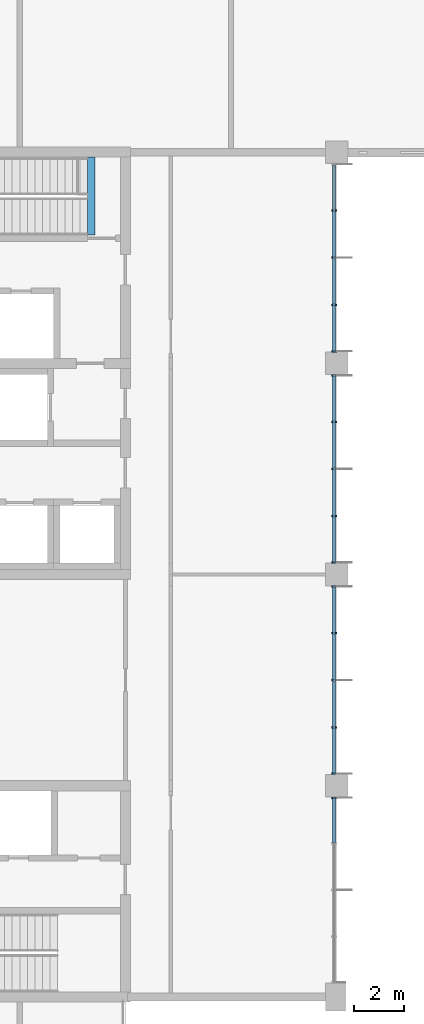
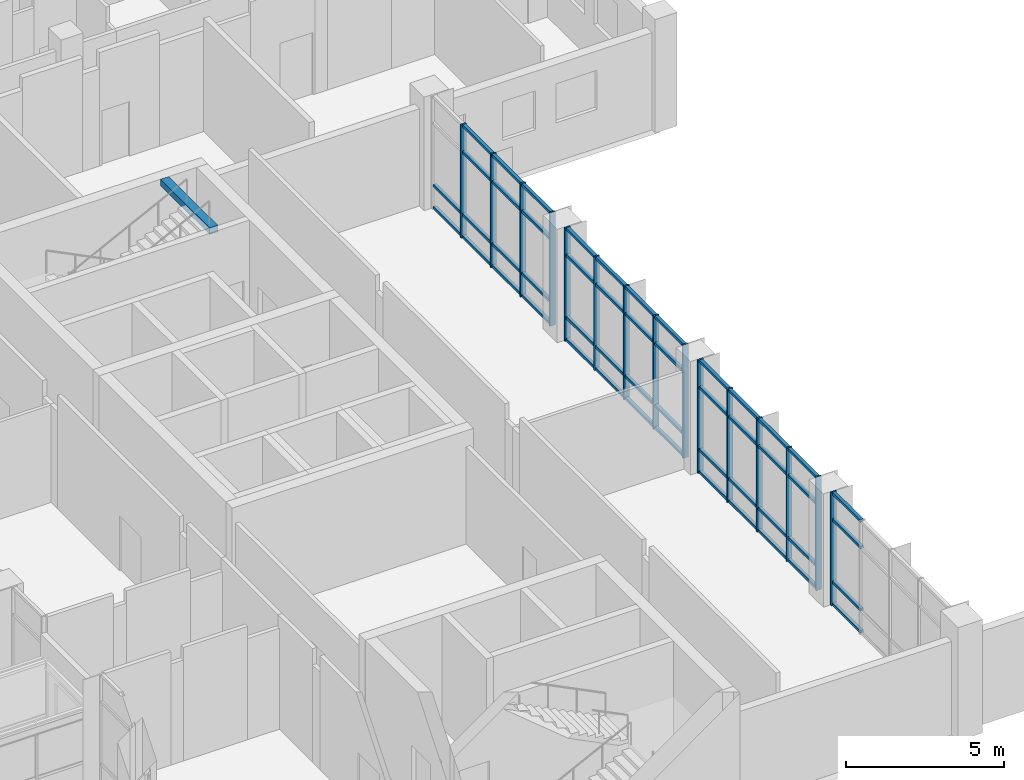
# One storey, part 20 of 70: 65 members, 1 beam, 4 elements without a shape of their own.
"""IFC4 building model written with IfcOpenShell, lengths in metres."""

from ifc_helpers import new_model, si_unit, direction, frame, origin, origin_2d, place, context, subcontext, project, spatial, rectangle, extrude, material, material_profile, profile_set, type_object, element, aggregate, save


model = new_model("IFC4")

# Units and contexts
model_context = context("Model", 3, precision=1e-05, world=origin(), true_north=direction((0.0, 1.0)))
body_context = subcontext(model_context, "Body", "Model", "MODEL_VIEW")
ifc_project = project(units=[si_unit("LENGTHUNIT", "METRE"), si_unit("AREAUNIT", "SQUARE_METRE"), si_unit("VOLUMEUNIT", "CUBIC_METRE"), si_unit("PLANEANGLEUNIT", "RADIAN"), si_unit("MASSUNIT", "GRAM", prefix="KILO")], contexts=[model_context])

# Site, building, storey
site_placement = place(None, origin())
site = spatial("IfcSite", under=ifc_project, at=site_placement, CompositionType="ELEMENT")
building_placement = place(site_placement, origin())
building = spatial("IfcBuilding", under=site, at=building_placement, Name="Hlaing Beacon Police Headquarters", CompositionType="ELEMENT")
storey_placement = place(building_placement, frame((0.0, 0.0, 5.39990234375)))
storey = spatial("IfcBuildingStorey", under=building, at=storey_placement, Name="L01", CompositionType="ELEMENT", Elevation=5.39990234375)

# Curtain wall, member
ifc_material_1 = material(Name="Aluminium frame with solar control glazing", Category="aluminium")
curtain_wall_type_1 = type_object("IfcCurtainWallType", Name="Unitised curtain wall 7.40 x 4.37", PredefinedType="NOTDEFINED", material=ifc_material_1)
curtain_wall_1_placement = place(storey_placement, origin())
curtain_wall_1 = element("IfcCurtainWall", 1, at=curtain_wall_1_placement, inside=storey, type_object=curtain_wall_type_1, Name="ENV-CW-L01-E019", PredefinedType="NOTDEFINED")
ifc_material_2 = material(Name="Aluminium", Category="aluminium")
ifc_material_profile_1 = material_profile(ifc_material_2, rectangle(XDim=0.199951171875, YDim=0.06005859375, at=origin_2d()), Name="Mullion 60x200")
ifc_profile_set_1 = profile_set([ifc_material_profile_1], Name="Aluminium")
member_type_1 = type_object("IfcMemberType", Name="Mullion 60x200", PredefinedType="MULLION", material=ifc_profile_set_1)
member_1_placement = place(storey_placement, frame((125.89990234375, 41.52001953125, 0.0), z_axis=(0.0, 0.0, 1.0), x_axis=(-1.0, 0.0, 0.0)))
member_1 = element("IfcMember", 2, at=member_1_placement, type_object=member_type_1, Name="CW-L01-E019 mullion 5", PredefinedType="MULLION", context=body_context, shape_type="SweptSolid", body=[
    extrude(rectangle(XDim=0.199951171875, YDim=0.06005859375, at=origin_2d()), origin(), (0.0, 0.0, 1.0), 4.3701171875),
])

# Curtain wall, members
ifc_material_3 = material(Name="Aluminium frame with solar control glazing", Category="aluminium")
curtain_wall_type_2 = type_object("IfcCurtainWallType", Name="Unitised curtain wall 7.50 x 4.37", PredefinedType="NOTDEFINED", material=ifc_material_3)
curtain_wall_2_placement = place(storey_placement, origin())
curtain_wall_2 = element("IfcCurtainWall", 3, at=curtain_wall_2_placement, inside=storey, type_object=curtain_wall_type_2, Name="ENV-CW-L01-E020", PredefinedType="NOTDEFINED")
member_2_placement = place(storey_placement, frame((125.89990234375, 42.47998046875, 0.0), z_axis=(0.0, 0.0, 1.0), x_axis=(-1.0, 0.0, 0.0)))
member_2 = element("IfcMember", 4, at=member_2_placement, type_object=member_type_1, Name="CW-L01-E020 mullion 1", PredefinedType="MULLION", context=body_context, shape_type="SweptSolid", body=[
    extrude(rectangle(XDim=0.199951171875, YDim=0.06005859375, at=origin_2d()), origin(), (0.0, 0.0, 1.0), 4.3701171875),
])
member_3_placement = place(storey_placement, frame((125.89990234375, 44.324951171875, 0.0), z_axis=(0.0, 0.0, 1.0), x_axis=(-1.0, 0.0, 0.0)))
member_3 = element("IfcMember", 5, at=member_3_placement, type_object=member_type_1, Name="CW-L01-E020 mullion 2", PredefinedType="MULLION", context=body_context, shape_type="SweptSolid", body=[
    extrude(rectangle(XDim=0.199951171875, YDim=0.06005859375, at=origin_2d()), origin(), (0.0, 0.0, 1.0), 4.3701171875),
])
member_4_placement = place(storey_placement, frame((125.89990234375, 46.199951171875, 0.0), z_axis=(0.0, 0.0, 1.0), x_axis=(-1.0, 0.0, 0.0)))
member_4 = element("IfcMember", 6, at=member_4_placement, type_object=member_type_1, Name="CW-L01-E020 mullion 3", PredefinedType="MULLION", context=body_context, shape_type="SweptSolid", body=[
    extrude(rectangle(XDim=0.199951171875, YDim=0.06005859375, at=origin_2d()), origin(), (0.0, 0.0, 1.0), 4.3701171875),
])
member_5_placement = place(storey_placement, frame((125.89990234375, 48.074951171875, 0.0), z_axis=(0.0, 0.0, 1.0), x_axis=(-1.0, 0.0, 0.0)))
member_5 = element("IfcMember", 7, at=member_5_placement, type_object=member_type_1, Name="CW-L01-E020 mullion 4", PredefinedType="MULLION", context=body_context, shape_type="SweptSolid", body=[
    extrude(rectangle(XDim=0.199951171875, YDim=0.06005859375, at=origin_2d()), origin(), (0.0, 0.0, 1.0), 4.3701171875),
])
member_6_placement = place(storey_placement, frame((125.89990234375, 49.919921875, 0.0), z_axis=(0.0, 0.0, 1.0), x_axis=(-1.0, 0.0, 0.0)))
member_6 = element("IfcMember", 8, at=member_6_placement, type_object=member_type_1, Name="CW-L01-E020 mullion 5", PredefinedType="MULLION", context=body_context, shape_type="SweptSolid", body=[
    extrude(rectangle(XDim=0.199951171875, YDim=0.06005859375, at=origin_2d()), origin(), (0.0, 0.0, 1.0), 4.3701171875),
])

curtain_wall_3_placement = place(storey_placement, origin())
curtain_wall_3 = element("IfcCurtainWall", 9, at=curtain_wall_3_placement, inside=storey, type_object=curtain_wall_type_2, Name="ENV-CW-L01-E021", PredefinedType="NOTDEFINED")
member_7_placement = place(storey_placement, frame((125.89990234375, 50.8798828125, 0.0), z_axis=(0.0, 0.0, 1.0), x_axis=(-1.0, 0.0, 0.0)))
member_7 = element("IfcMember", 10, at=member_7_placement, type_object=member_type_1, Name="CW-L01-E021 mullion 1", PredefinedType="MULLION", context=body_context, shape_type="SweptSolid", body=[
    extrude(rectangle(XDim=0.199951171875, YDim=0.06005859375, at=origin_2d()), origin(), (0.0, 0.0, 1.0), 4.3701171875),
])
member_8_placement = place(storey_placement, frame((125.89990234375, 52.72509765625, 0.0), z_axis=(0.0, 0.0, 1.0), x_axis=(-1.0, 0.0, 0.0)))
member_8 = element("IfcMember", 11, at=member_8_placement, type_object=member_type_1, Name="CW-L01-E021 mullion 2", PredefinedType="MULLION", context=body_context, shape_type="SweptSolid", body=[
    extrude(rectangle(XDim=0.199951171875, YDim=0.06005859375, at=origin_2d()), origin(), (0.0, 0.0, 1.0), 4.3701171875),
])
member_9_placement = place(storey_placement, frame((125.89990234375, 54.60009765625, 0.0), z_axis=(0.0, 0.0, 1.0), x_axis=(-1.0, 0.0, 0.0)))
member_9 = element("IfcMember", 12, at=member_9_placement, type_object=member_type_1, Name="CW-L01-E021 mullion 3", PredefinedType="MULLION", context=body_context, shape_type="SweptSolid", body=[
    extrude(rectangle(XDim=0.199951171875, YDim=0.06005859375, at=origin_2d()), origin(), (0.0, 0.0, 1.0), 4.3701171875),
])
member_10_placement = place(storey_placement, frame((125.89990234375, 56.47509765625, 0.0), z_axis=(0.0, 0.0, 1.0), x_axis=(-1.0, 0.0, 0.0)))
member_10 = element("IfcMember", 13, at=member_10_placement, type_object=member_type_1, Name="CW-L01-E021 mullion 4", PredefinedType="MULLION", context=body_context, shape_type="SweptSolid", body=[
    extrude(rectangle(XDim=0.199951171875, YDim=0.06005859375, at=origin_2d()), origin(), (0.0, 0.0, 1.0), 4.3701171875),
])
member_11_placement = place(storey_placement, frame((125.89990234375, 58.320068359375, 0.0), z_axis=(0.0, 0.0, 1.0), x_axis=(-1.0, 0.0, 0.0)))
member_11 = element("IfcMember", 14, at=member_11_placement, type_object=member_type_1, Name="CW-L01-E021 mullion 5", PredefinedType="MULLION", context=body_context, shape_type="SweptSolid", body=[
    extrude(rectangle(XDim=0.199951171875, YDim=0.06005859375, at=origin_2d()), origin(), (0.0, 0.0, 1.0), 4.3701171875),
])

curtain_wall_4_placement = place(storey_placement, origin())
curtain_wall_4 = element("IfcCurtainWall", 15, at=curtain_wall_4_placement, inside=storey, type_object=curtain_wall_type_2, Name="ENV-CW-L01-E022", PredefinedType="NOTDEFINED")
member_12_placement = place(storey_placement, frame((125.89990234375, 59.280029296875, 0.0), z_axis=(0.0, 0.0, 1.0), x_axis=(-1.0, 0.0, 0.0)))
member_12 = element("IfcMember", 16, at=member_12_placement, type_object=member_type_1, Name="CW-L01-E022 mullion 1", PredefinedType="MULLION", context=body_context, shape_type="SweptSolid", body=[
    extrude(rectangle(XDim=0.199951171875, YDim=0.06005859375, at=origin_2d()), origin(), (0.0, 0.0, 1.0), 4.3701171875),
])
member_13_placement = place(storey_placement, frame((125.89990234375, 61.125, 0.0), z_axis=(0.0, 0.0, 1.0), x_axis=(-1.0, 0.0, 0.0)))
member_13 = element("IfcMember", 17, at=member_13_placement, type_object=member_type_1, Name="CW-L01-E022 mullion 2", PredefinedType="MULLION", context=body_context, shape_type="SweptSolid", body=[
    extrude(rectangle(XDim=0.199951171875, YDim=0.06005859375, at=origin_2d()), origin(), (0.0, 0.0, 1.0), 4.3701171875),
])
member_14_placement = place(storey_placement, frame((125.89990234375, 63.0, 0.0), z_axis=(0.0, 0.0, 1.0), x_axis=(-1.0, 0.0, 0.0)))
member_14 = element("IfcMember", 18, at=member_14_placement, type_object=member_type_1, Name="CW-L01-E022 mullion 3", PredefinedType="MULLION", context=body_context, shape_type="SweptSolid", body=[
    extrude(rectangle(XDim=0.199951171875, YDim=0.06005859375, at=origin_2d()), origin(), (0.0, 0.0, 1.0), 4.3701171875),
])
member_15_placement = place(storey_placement, frame((125.89990234375, 64.875, 0.0), z_axis=(0.0, 0.0, 1.0), x_axis=(-1.0, 0.0, 0.0)))
member_15 = element("IfcMember", 19, at=member_15_placement, type_object=member_type_1, Name="CW-L01-E022 mullion 4", PredefinedType="MULLION", context=body_context, shape_type="SweptSolid", body=[
    extrude(rectangle(XDim=0.199951171875, YDim=0.06005859375, at=origin_2d()), origin(), (0.0, 0.0, 1.0), 4.3701171875),
])

# Beam
ifc_material_4 = material(Name="Concrete C40/50", Category="concrete")
ifc_material_profile_2 = material_profile(ifc_material_4, rectangle(XDim=0.300048828125, YDim=0.25, at=origin_2d()), Name="Stair arrival beam 300x250")
ifc_profile_set_2 = profile_set([ifc_material_profile_2], Name="Concrete C40/50")
beam_type = type_object("IfcBeamType", Name="Stair arrival beam 300x250", PredefinedType="BEAM", material=ifc_profile_set_2)
beam_placement = place(storey_placement, frame((116.239990234375, 67.0, 4.2451171875), z_axis=(0.0, -1.0, 0.0), x_axis=(1.0, 0.0, 0.0)))
element("IfcBeam", 20, at=beam_placement, inside=storey, type_object=beam_type, Name="Stair arrival beam ST-M", PredefinedType="BEAM", context=body_context, shape_type="SweptSolid", body=[
    extrude(rectangle(XDim=0.300048828125, YDim=0.25, at=origin_2d()), origin(), (0.0, 0.0, 1.0), 3.10009765625),
])

# Member
ifc_material_5 = material(Name="Aluminium", Category="aluminium")
ifc_material_profile_3 = material_profile(ifc_material_5, rectangle(XDim=0.1201171875, YDim=0.10009765625, at=origin_2d()), Name="Transom 120x100")
ifc_profile_set_3 = profile_set([ifc_material_profile_3], Name="Aluminium")
member_type_2 = type_object("IfcMemberType", Name="Transom 120x100", PredefinedType="USERDEFINED", material=ifc_profile_set_3)
member_16_placement = place(storey_placement, frame((125.89990234375, 39.72998046875, 0.050048828125), z_axis=(0.0, 1.0, 0.0), x_axis=(-1.0, 0.0, 0.0)))
member_16 = element("IfcMember", 21, at=member_16_placement, type_object=member_type_2, Name="CW-L01-E019 transom 4.1", ObjectType="TRANSOM", PredefinedType="USERDEFINED", context=body_context, shape_type="SweptSolid", body=[
    extrude(rectangle(XDim=0.1201171875, YDim=0.10009765625, at=origin_2d()), origin(), (0.0, 0.0, 1.0), 1.760009765625),
])

member_17_placement = place(storey_placement, frame((125.89990234375, 39.72998046875, 0.900146484375), z_axis=(0.0, 1.0, 0.0), x_axis=(-1.0, 0.0, 0.0)))
member_17 = element("IfcMember", 22, at=member_17_placement, type_object=member_type_2, Name="CW-L01-E019 transom 4.2", ObjectType="TRANSOM", PredefinedType="USERDEFINED", context=body_context, shape_type="SweptSolid", body=[
    extrude(rectangle(XDim=0.1201171875, YDim=0.10009765625, at=origin_2d()), origin(), (0.0, 0.0, 1.0), 1.760009765625),
])

member_18_placement = place(storey_placement, frame((125.89990234375, 39.72998046875, 3.300048828125), z_axis=(0.0, 1.0, 0.0), x_axis=(-1.0, 0.0, 0.0)))
member_18 = element("IfcMember", 23, at=member_18_placement, type_object=member_type_2, Name="CW-L01-E019 transom 4.3", ObjectType="TRANSOM", PredefinedType="USERDEFINED", context=body_context, shape_type="SweptSolid", body=[
    extrude(rectangle(XDim=0.1201171875, YDim=0.10009765625, at=origin_2d()), origin(), (0.0, 0.0, 1.0), 1.760009765625),
])

member_19_placement = place(storey_placement, frame((125.89990234375, 39.72998046875, 4.320068359375), z_axis=(0.0, 1.0, 0.0), x_axis=(-1.0, 0.0, 0.0)))
member_19 = element("IfcMember", 24, at=member_19_placement, type_object=member_type_2, Name="CW-L01-E019 transom 4.4", ObjectType="TRANSOM", PredefinedType="USERDEFINED", context=body_context, shape_type="SweptSolid", body=[
    extrude(rectangle(XDim=0.1201171875, YDim=0.10009765625, at=origin_2d()), origin(), (0.0, 0.0, 1.0), 1.760009765625),
])

aggregate(curtain_wall_1, [member_1, member_16, member_17, member_18, member_19])

member_20_placement = place(storey_placement, frame((125.89990234375, 42.510009765625, 0.050048828125), z_axis=(0.0, 1.0, 0.0), x_axis=(-1.0, 0.0, 0.0)))
member_20 = element("IfcMember", 25, at=member_20_placement, type_object=member_type_2, Name="CW-L01-E020 transom 1.1", ObjectType="TRANSOM", PredefinedType="USERDEFINED", context=body_context, shape_type="SweptSolid", body=[
    extrude(rectangle(XDim=0.1201171875, YDim=0.10009765625, at=origin_2d()), origin(), (0.0, 0.0, 1.0), 1.784912109375),
])

member_21_placement = place(storey_placement, frame((125.89990234375, 42.510009765625, 0.900146484375), z_axis=(0.0, 1.0, 0.0), x_axis=(-1.0, 0.0, 0.0)))
member_21 = element("IfcMember", 26, at=member_21_placement, type_object=member_type_2, Name="CW-L01-E020 transom 1.2", ObjectType="TRANSOM", PredefinedType="USERDEFINED", context=body_context, shape_type="SweptSolid", body=[
    extrude(rectangle(XDim=0.1201171875, YDim=0.10009765625, at=origin_2d()), origin(), (0.0, 0.0, 1.0), 1.784912109375),
])

member_22_placement = place(storey_placement, frame((125.89990234375, 42.510009765625, 3.300048828125), z_axis=(0.0, 1.0, 0.0), x_axis=(-1.0, 0.0, 0.0)))
member_22 = element("IfcMember", 27, at=member_22_placement, type_object=member_type_2, Name="CW-L01-E020 transom 1.3", ObjectType="TRANSOM", PredefinedType="USERDEFINED", context=body_context, shape_type="SweptSolid", body=[
    extrude(rectangle(XDim=0.1201171875, YDim=0.10009765625, at=origin_2d()), origin(), (0.0, 0.0, 1.0), 1.784912109375),
])

member_23_placement = place(storey_placement, frame((125.89990234375, 42.510009765625, 4.320068359375), z_axis=(0.0, 1.0, 0.0), x_axis=(-1.0, 0.0, 0.0)))
member_23 = element("IfcMember", 28, at=member_23_placement, type_object=member_type_2, Name="CW-L01-E020 transom 1.4", ObjectType="TRANSOM", PredefinedType="USERDEFINED", context=body_context, shape_type="SweptSolid", body=[
    extrude(rectangle(XDim=0.1201171875, YDim=0.10009765625, at=origin_2d()), origin(), (0.0, 0.0, 1.0), 1.784912109375),
])

member_24_placement = place(storey_placement, frame((125.89990234375, 44.35498046875, 0.050048828125), z_axis=(0.0, 1.0, 0.0), x_axis=(-1.0, 0.0, 0.0)))
member_24 = element("IfcMember", 29, at=member_24_placement, type_object=member_type_2, Name="CW-L01-E020 transom 2.1", ObjectType="TRANSOM", PredefinedType="USERDEFINED", context=body_context, shape_type="SweptSolid", body=[
    extrude(rectangle(XDim=0.1201171875, YDim=0.10009765625, at=origin_2d()), origin(), (0.0, 0.0, 1.0), 1.81494140625),
])

member_25_placement = place(storey_placement, frame((125.89990234375, 44.35498046875, 0.900146484375), z_axis=(0.0, 1.0, 0.0), x_axis=(-1.0, 0.0, 0.0)))
member_25 = element("IfcMember", 30, at=member_25_placement, type_object=member_type_2, Name="CW-L01-E020 transom 2.2", ObjectType="TRANSOM", PredefinedType="USERDEFINED", context=body_context, shape_type="SweptSolid", body=[
    extrude(rectangle(XDim=0.1201171875, YDim=0.10009765625, at=origin_2d()), origin(), (0.0, 0.0, 1.0), 1.81494140625),
])

member_26_placement = place(storey_placement, frame((125.89990234375, 44.35498046875, 3.300048828125), z_axis=(0.0, 1.0, 0.0), x_axis=(-1.0, 0.0, 0.0)))
member_26 = element("IfcMember", 31, at=member_26_placement, type_object=member_type_2, Name="CW-L01-E020 transom 2.3", ObjectType="TRANSOM", PredefinedType="USERDEFINED", context=body_context, shape_type="SweptSolid", body=[
    extrude(rectangle(XDim=0.1201171875, YDim=0.10009765625, at=origin_2d()), origin(), (0.0, 0.0, 1.0), 1.81494140625),
])

member_27_placement = place(storey_placement, frame((125.89990234375, 44.35498046875, 4.320068359375), z_axis=(0.0, 1.0, 0.0), x_axis=(-1.0, 0.0, 0.0)))
member_27 = element("IfcMember", 32, at=member_27_placement, type_object=member_type_2, Name="CW-L01-E020 transom 2.4", ObjectType="TRANSOM", PredefinedType="USERDEFINED", context=body_context, shape_type="SweptSolid", body=[
    extrude(rectangle(XDim=0.1201171875, YDim=0.10009765625, at=origin_2d()), origin(), (0.0, 0.0, 1.0), 1.81494140625),
])

member_28_placement = place(storey_placement, frame((125.89990234375, 46.22998046875, 0.050048828125), z_axis=(0.0, 1.0, 0.0), x_axis=(-1.0, 0.0, 0.0)))
member_28 = element("IfcMember", 33, at=member_28_placement, type_object=member_type_2, Name="CW-L01-E020 transom 3.1", ObjectType="TRANSOM", PredefinedType="USERDEFINED", context=body_context, shape_type="SweptSolid", body=[
    extrude(rectangle(XDim=0.1201171875, YDim=0.10009765625, at=origin_2d()), origin(), (0.0, 0.0, 1.0), 1.81494140625),
])

member_29_placement = place(storey_placement, frame((125.89990234375, 46.22998046875, 0.900146484375), z_axis=(0.0, 1.0, 0.0), x_axis=(-1.0, 0.0, 0.0)))
member_29 = element("IfcMember", 34, at=member_29_placement, type_object=member_type_2, Name="CW-L01-E020 transom 3.2", ObjectType="TRANSOM", PredefinedType="USERDEFINED", context=body_context, shape_type="SweptSolid", body=[
    extrude(rectangle(XDim=0.1201171875, YDim=0.10009765625, at=origin_2d()), origin(), (0.0, 0.0, 1.0), 1.81494140625),
])

member_30_placement = place(storey_placement, frame((125.89990234375, 46.22998046875, 3.300048828125), z_axis=(0.0, 1.0, 0.0), x_axis=(-1.0, 0.0, 0.0)))
member_30 = element("IfcMember", 35, at=member_30_placement, type_object=member_type_2, Name="CW-L01-E020 transom 3.3", ObjectType="TRANSOM", PredefinedType="USERDEFINED", context=body_context, shape_type="SweptSolid", body=[
    extrude(rectangle(XDim=0.1201171875, YDim=0.10009765625, at=origin_2d()), origin(), (0.0, 0.0, 1.0), 1.81494140625),
])

member_31_placement = place(storey_placement, frame((125.89990234375, 46.22998046875, 4.320068359375), z_axis=(0.0, 1.0, 0.0), x_axis=(-1.0, 0.0, 0.0)))
member_31 = element("IfcMember", 36, at=member_31_placement, type_object=member_type_2, Name="CW-L01-E020 transom 3.4", ObjectType="TRANSOM", PredefinedType="USERDEFINED", context=body_context, shape_type="SweptSolid", body=[
    extrude(rectangle(XDim=0.1201171875, YDim=0.10009765625, at=origin_2d()), origin(), (0.0, 0.0, 1.0), 1.81494140625),
])

member_32_placement = place(storey_placement, frame((125.89990234375, 48.10498046875, 0.050048828125), z_axis=(0.0, 1.0, 0.0), x_axis=(-1.0, 0.0, 0.0)))
member_32 = element("IfcMember", 37, at=member_32_placement, type_object=member_type_2, Name="CW-L01-E020 transom 4.1", ObjectType="TRANSOM", PredefinedType="USERDEFINED", context=body_context, shape_type="SweptSolid", body=[
    extrude(rectangle(XDim=0.1201171875, YDim=0.10009765625, at=origin_2d()), origin(), (0.0, 0.0, 1.0), 1.784912109375),
])

member_33_placement = place(storey_placement, frame((125.89990234375, 48.10498046875, 0.900146484375), z_axis=(0.0, 1.0, 0.0), x_axis=(-1.0, 0.0, 0.0)))
member_33 = element("IfcMember", 38, at=member_33_placement, type_object=member_type_2, Name="CW-L01-E020 transom 4.2", ObjectType="TRANSOM", PredefinedType="USERDEFINED", context=body_context, shape_type="SweptSolid", body=[
    extrude(rectangle(XDim=0.1201171875, YDim=0.10009765625, at=origin_2d()), origin(), (0.0, 0.0, 1.0), 1.784912109375),
])

member_34_placement = place(storey_placement, frame((125.89990234375, 48.10498046875, 3.300048828125), z_axis=(0.0, 1.0, 0.0), x_axis=(-1.0, 0.0, 0.0)))
member_34 = element("IfcMember", 39, at=member_34_placement, type_object=member_type_2, Name="CW-L01-E020 transom 4.3", ObjectType="TRANSOM", PredefinedType="USERDEFINED", context=body_context, shape_type="SweptSolid", body=[
    extrude(rectangle(XDim=0.1201171875, YDim=0.10009765625, at=origin_2d()), origin(), (0.0, 0.0, 1.0), 1.784912109375),
])

member_35_placement = place(storey_placement, frame((125.89990234375, 48.10498046875, 4.320068359375), z_axis=(0.0, 1.0, 0.0), x_axis=(-1.0, 0.0, 0.0)))
member_35 = element("IfcMember", 40, at=member_35_placement, type_object=member_type_2, Name="CW-L01-E020 transom 4.4", ObjectType="TRANSOM", PredefinedType="USERDEFINED", context=body_context, shape_type="SweptSolid", body=[
    extrude(rectangle(XDim=0.1201171875, YDim=0.10009765625, at=origin_2d()), origin(), (0.0, 0.0, 1.0), 1.784912109375),
])

aggregate(curtain_wall_2, [member_2, member_3, member_4, member_5, member_6, member_20, member_21, member_22, member_23, member_24, member_25, member_26, member_27, member_28, member_29, member_30, member_31, member_32, member_33, member_34, member_35])

member_36_placement = place(storey_placement, frame((125.89990234375, 50.909912109375, 0.050048828125), z_axis=(0.0, 1.0, 0.0), x_axis=(-1.0, 0.0, 0.0)))
member_36 = element("IfcMember", 41, at=member_36_placement, type_object=member_type_2, Name="CW-L01-E021 transom 1.1", ObjectType="TRANSOM", PredefinedType="USERDEFINED", context=body_context, shape_type="SweptSolid", body=[
    extrude(rectangle(XDim=0.1201171875, YDim=0.10009765625, at=origin_2d()), origin(), (0.0, 0.0, 1.0), 1.78515625),
])

member_37_placement = place(storey_placement, frame((125.89990234375, 50.909912109375, 0.900146484375), z_axis=(0.0, 1.0, 0.0), x_axis=(-1.0, 0.0, 0.0)))
member_37 = element("IfcMember", 42, at=member_37_placement, type_object=member_type_2, Name="CW-L01-E021 transom 1.2", ObjectType="TRANSOM", PredefinedType="USERDEFINED", context=body_context, shape_type="SweptSolid", body=[
    extrude(rectangle(XDim=0.1201171875, YDim=0.10009765625, at=origin_2d()), origin(), (0.0, 0.0, 1.0), 1.78515625),
])

member_38_placement = place(storey_placement, frame((125.89990234375, 50.909912109375, 3.300048828125), z_axis=(0.0, 1.0, 0.0), x_axis=(-1.0, 0.0, 0.0)))
member_38 = element("IfcMember", 43, at=member_38_placement, type_object=member_type_2, Name="CW-L01-E021 transom 1.3", ObjectType="TRANSOM", PredefinedType="USERDEFINED", context=body_context, shape_type="SweptSolid", body=[
    extrude(rectangle(XDim=0.1201171875, YDim=0.10009765625, at=origin_2d()), origin(), (0.0, 0.0, 1.0), 1.78515625),
])

member_39_placement = place(storey_placement, frame((125.89990234375, 50.909912109375, 4.320068359375), z_axis=(0.0, 1.0, 0.0), x_axis=(-1.0, 0.0, 0.0)))
member_39 = element("IfcMember", 44, at=member_39_placement, type_object=member_type_2, Name="CW-L01-E021 transom 1.4", ObjectType="TRANSOM", PredefinedType="USERDEFINED", context=body_context, shape_type="SweptSolid", body=[
    extrude(rectangle(XDim=0.1201171875, YDim=0.10009765625, at=origin_2d()), origin(), (0.0, 0.0, 1.0), 1.78515625),
])

member_40_placement = place(storey_placement, frame((125.89990234375, 52.7548828125, 0.050048828125), z_axis=(0.0, 1.0, 0.0), x_axis=(-1.0, 0.0, 0.0)))
member_40 = element("IfcMember", 45, at=member_40_placement, type_object=member_type_2, Name="CW-L01-E021 transom 2.1", ObjectType="TRANSOM", PredefinedType="USERDEFINED", context=body_context, shape_type="SweptSolid", body=[
    extrude(rectangle(XDim=0.1201171875, YDim=0.10009765625, at=origin_2d()), origin(), (0.0, 0.0, 1.0), 1.815185546875),
])

member_41_placement = place(storey_placement, frame((125.89990234375, 52.7548828125, 0.900146484375), z_axis=(0.0, 1.0, 0.0), x_axis=(-1.0, 0.0, 0.0)))
member_41 = element("IfcMember", 46, at=member_41_placement, type_object=member_type_2, Name="CW-L01-E021 transom 2.2", ObjectType="TRANSOM", PredefinedType="USERDEFINED", context=body_context, shape_type="SweptSolid", body=[
    extrude(rectangle(XDim=0.1201171875, YDim=0.10009765625, at=origin_2d()), origin(), (0.0, 0.0, 1.0), 1.815185546875),
])

member_42_placement = place(storey_placement, frame((125.89990234375, 52.7548828125, 3.300048828125), z_axis=(0.0, 1.0, 0.0), x_axis=(-1.0, 0.0, 0.0)))
member_42 = element("IfcMember", 47, at=member_42_placement, type_object=member_type_2, Name="CW-L01-E021 transom 2.3", ObjectType="TRANSOM", PredefinedType="USERDEFINED", context=body_context, shape_type="SweptSolid", body=[
    extrude(rectangle(XDim=0.1201171875, YDim=0.10009765625, at=origin_2d()), origin(), (0.0, 0.0, 1.0), 1.815185546875),
])

member_43_placement = place(storey_placement, frame((125.89990234375, 52.7548828125, 4.320068359375), z_axis=(0.0, 1.0, 0.0), x_axis=(-1.0, 0.0, 0.0)))
member_43 = element("IfcMember", 48, at=member_43_placement, type_object=member_type_2, Name="CW-L01-E021 transom 2.4", ObjectType="TRANSOM", PredefinedType="USERDEFINED", context=body_context, shape_type="SweptSolid", body=[
    extrude(rectangle(XDim=0.1201171875, YDim=0.10009765625, at=origin_2d()), origin(), (0.0, 0.0, 1.0), 1.815185546875),
])

member_44_placement = place(storey_placement, frame((125.89990234375, 54.6298828125, 0.050048828125), z_axis=(0.0, 1.0, 0.0), x_axis=(-1.0, 0.0, 0.0)))
member_44 = element("IfcMember", 49, at=member_44_placement, type_object=member_type_2, Name="CW-L01-E021 transom 3.1", ObjectType="TRANSOM", PredefinedType="USERDEFINED", context=body_context, shape_type="SweptSolid", body=[
    extrude(rectangle(XDim=0.1201171875, YDim=0.10009765625, at=origin_2d()), origin(), (0.0, 0.0, 1.0), 1.815185546875),
])

member_45_placement = place(storey_placement, frame((125.89990234375, 54.6298828125, 0.900146484375), z_axis=(0.0, 1.0, 0.0), x_axis=(-1.0, 0.0, 0.0)))
member_45 = element("IfcMember", 50, at=member_45_placement, type_object=member_type_2, Name="CW-L01-E021 transom 3.2", ObjectType="TRANSOM", PredefinedType="USERDEFINED", context=body_context, shape_type="SweptSolid", body=[
    extrude(rectangle(XDim=0.1201171875, YDim=0.10009765625, at=origin_2d()), origin(), (0.0, 0.0, 1.0), 1.815185546875),
])

member_46_placement = place(storey_placement, frame((125.89990234375, 54.6298828125, 3.300048828125), z_axis=(0.0, 1.0, 0.0), x_axis=(-1.0, 0.0, 0.0)))
member_46 = element("IfcMember", 51, at=member_46_placement, type_object=member_type_2, Name="CW-L01-E021 transom 3.3", ObjectType="TRANSOM", PredefinedType="USERDEFINED", context=body_context, shape_type="SweptSolid", body=[
    extrude(rectangle(XDim=0.1201171875, YDim=0.10009765625, at=origin_2d()), origin(), (0.0, 0.0, 1.0), 1.815185546875),
])

member_47_placement = place(storey_placement, frame((125.89990234375, 54.6298828125, 4.320068359375), z_axis=(0.0, 1.0, 0.0), x_axis=(-1.0, 0.0, 0.0)))
member_47 = element("IfcMember", 52, at=member_47_placement, type_object=member_type_2, Name="CW-L01-E021 transom 3.4", ObjectType="TRANSOM", PredefinedType="USERDEFINED", context=body_context, shape_type="SweptSolid", body=[
    extrude(rectangle(XDim=0.1201171875, YDim=0.10009765625, at=origin_2d()), origin(), (0.0, 0.0, 1.0), 1.815185546875),
])

member_48_placement = place(storey_placement, frame((125.89990234375, 56.5048828125, 0.050048828125), z_axis=(0.0, 1.0, 0.0), x_axis=(-1.0, 0.0, 0.0)))
member_48 = element("IfcMember", 53, at=member_48_placement, type_object=member_type_2, Name="CW-L01-E021 transom 4.1", ObjectType="TRANSOM", PredefinedType="USERDEFINED", context=body_context, shape_type="SweptSolid", body=[
    extrude(rectangle(XDim=0.1201171875, YDim=0.10009765625, at=origin_2d()), origin(), (0.0, 0.0, 1.0), 1.78515625),
])

member_49_placement = place(storey_placement, frame((125.89990234375, 56.5048828125, 0.900146484375), z_axis=(0.0, 1.0, 0.0), x_axis=(-1.0, 0.0, 0.0)))
member_49 = element("IfcMember", 54, at=member_49_placement, type_object=member_type_2, Name="CW-L01-E021 transom 4.2", ObjectType="TRANSOM", PredefinedType="USERDEFINED", context=body_context, shape_type="SweptSolid", body=[
    extrude(rectangle(XDim=0.1201171875, YDim=0.10009765625, at=origin_2d()), origin(), (0.0, 0.0, 1.0), 1.78515625),
])

member_50_placement = place(storey_placement, frame((125.89990234375, 56.5048828125, 3.300048828125), z_axis=(0.0, 1.0, 0.0), x_axis=(-1.0, 0.0, 0.0)))
member_50 = element("IfcMember", 55, at=member_50_placement, type_object=member_type_2, Name="CW-L01-E021 transom 4.3", ObjectType="TRANSOM", PredefinedType="USERDEFINED", context=body_context, shape_type="SweptSolid", body=[
    extrude(rectangle(XDim=0.1201171875, YDim=0.10009765625, at=origin_2d()), origin(), (0.0, 0.0, 1.0), 1.78515625),
])

member_51_placement = place(storey_placement, frame((125.89990234375, 56.5048828125, 4.320068359375), z_axis=(0.0, 1.0, 0.0), x_axis=(-1.0, 0.0, 0.0)))
member_51 = element("IfcMember", 56, at=member_51_placement, type_object=member_type_2, Name="CW-L01-E021 transom 4.4", ObjectType="TRANSOM", PredefinedType="USERDEFINED", context=body_context, shape_type="SweptSolid", body=[
    extrude(rectangle(XDim=0.1201171875, YDim=0.10009765625, at=origin_2d()), origin(), (0.0, 0.0, 1.0), 1.78515625),
])

aggregate(curtain_wall_3, [member_7, member_8, member_9, member_10, member_11, member_36, member_37, member_38, member_39, member_40, member_41, member_42, member_43, member_44, member_45, member_46, member_47, member_48, member_49, member_50, member_51])

member_52_placement = place(storey_placement, frame((125.89990234375, 59.31005859375, 0.050048828125), z_axis=(0.0, 1.0, 0.0), x_axis=(-1.0, 0.0, 0.0)))
member_52 = element("IfcMember", 57, at=member_52_placement, type_object=member_type_2, Name="CW-L01-E022 transom 1.1", ObjectType="TRANSOM", PredefinedType="USERDEFINED", context=body_context, shape_type="SweptSolid", body=[
    extrude(rectangle(XDim=0.1201171875, YDim=0.10009765625, at=origin_2d()), origin(), (0.0, 0.0, 1.0), 1.784912109375),
])

member_53_placement = place(storey_placement, frame((125.89990234375, 59.31005859375, 0.900146484375), z_axis=(0.0, 1.0, 0.0), x_axis=(-1.0, 0.0, 0.0)))
member_53 = element("IfcMember", 58, at=member_53_placement, type_object=member_type_2, Name="CW-L01-E022 transom 1.2", ObjectType="TRANSOM", PredefinedType="USERDEFINED", context=body_context, shape_type="SweptSolid", body=[
    extrude(rectangle(XDim=0.1201171875, YDim=0.10009765625, at=origin_2d()), origin(), (0.0, 0.0, 1.0), 1.784912109375),
])

member_54_placement = place(storey_placement, frame((125.89990234375, 59.31005859375, 3.300048828125), z_axis=(0.0, 1.0, 0.0), x_axis=(-1.0, 0.0, 0.0)))
member_54 = element("IfcMember", 59, at=member_54_placement, type_object=member_type_2, Name="CW-L01-E022 transom 1.3", ObjectType="TRANSOM", PredefinedType="USERDEFINED", context=body_context, shape_type="SweptSolid", body=[
    extrude(rectangle(XDim=0.1201171875, YDim=0.10009765625, at=origin_2d()), origin(), (0.0, 0.0, 1.0), 1.784912109375),
])

member_55_placement = place(storey_placement, frame((125.89990234375, 59.31005859375, 4.320068359375), z_axis=(0.0, 1.0, 0.0), x_axis=(-1.0, 0.0, 0.0)))
member_55 = element("IfcMember", 60, at=member_55_placement, type_object=member_type_2, Name="CW-L01-E022 transom 1.4", ObjectType="TRANSOM", PredefinedType="USERDEFINED", context=body_context, shape_type="SweptSolid", body=[
    extrude(rectangle(XDim=0.1201171875, YDim=0.10009765625, at=origin_2d()), origin(), (0.0, 0.0, 1.0), 1.784912109375),
])

member_56_placement = place(storey_placement, frame((125.89990234375, 61.155029296875, 0.050048828125), z_axis=(0.0, 1.0, 0.0), x_axis=(-1.0, 0.0, 0.0)))
member_56 = element("IfcMember", 61, at=member_56_placement, type_object=member_type_2, Name="CW-L01-E022 transom 2.1", ObjectType="TRANSOM", PredefinedType="USERDEFINED", context=body_context, shape_type="SweptSolid", body=[
    extrude(rectangle(XDim=0.1201171875, YDim=0.10009765625, at=origin_2d()), origin(), (0.0, 0.0, 1.0), 1.81494140625),
])

member_57_placement = place(storey_placement, frame((125.89990234375, 61.155029296875, 0.900146484375), z_axis=(0.0, 1.0, 0.0), x_axis=(-1.0, 0.0, 0.0)))
member_57 = element("IfcMember", 62, at=member_57_placement, type_object=member_type_2, Name="CW-L01-E022 transom 2.2", ObjectType="TRANSOM", PredefinedType="USERDEFINED", context=body_context, shape_type="SweptSolid", body=[
    extrude(rectangle(XDim=0.1201171875, YDim=0.10009765625, at=origin_2d()), origin(), (0.0, 0.0, 1.0), 1.81494140625),
])

member_58_placement = place(storey_placement, frame((125.89990234375, 61.155029296875, 3.300048828125), z_axis=(0.0, 1.0, 0.0), x_axis=(-1.0, 0.0, 0.0)))
member_58 = element("IfcMember", 63, at=member_58_placement, type_object=member_type_2, Name="CW-L01-E022 transom 2.3", ObjectType="TRANSOM", PredefinedType="USERDEFINED", context=body_context, shape_type="SweptSolid", body=[
    extrude(rectangle(XDim=0.1201171875, YDim=0.10009765625, at=origin_2d()), origin(), (0.0, 0.0, 1.0), 1.81494140625),
])

member_59_placement = place(storey_placement, frame((125.89990234375, 61.155029296875, 4.320068359375), z_axis=(0.0, 1.0, 0.0), x_axis=(-1.0, 0.0, 0.0)))
member_59 = element("IfcMember", 64, at=member_59_placement, type_object=member_type_2, Name="CW-L01-E022 transom 2.4", ObjectType="TRANSOM", PredefinedType="USERDEFINED", context=body_context, shape_type="SweptSolid", body=[
    extrude(rectangle(XDim=0.1201171875, YDim=0.10009765625, at=origin_2d()), origin(), (0.0, 0.0, 1.0), 1.81494140625),
])

member_60_placement = place(storey_placement, frame((125.89990234375, 63.030029296875, 0.050048828125), z_axis=(0.0, 1.0, 0.0), x_axis=(-1.0, 0.0, 0.0)))
member_60 = element("IfcMember", 65, at=member_60_placement, type_object=member_type_2, Name="CW-L01-E022 transom 3.1", ObjectType="TRANSOM", PredefinedType="USERDEFINED", context=body_context, shape_type="SweptSolid", body=[
    extrude(rectangle(XDim=0.1201171875, YDim=0.10009765625, at=origin_2d()), origin(), (0.0, 0.0, 1.0), 1.81494140625),
])

member_61_placement = place(storey_placement, frame((125.89990234375, 63.030029296875, 0.900146484375), z_axis=(0.0, 1.0, 0.0), x_axis=(-1.0, 0.0, 0.0)))
member_61 = element("IfcMember", 66, at=member_61_placement, type_object=member_type_2, Name="CW-L01-E022 transom 3.2", ObjectType="TRANSOM", PredefinedType="USERDEFINED", context=body_context, shape_type="SweptSolid", body=[
    extrude(rectangle(XDim=0.1201171875, YDim=0.10009765625, at=origin_2d()), origin(), (0.0, 0.0, 1.0), 1.81494140625),
])

member_62_placement = place(storey_placement, frame((125.89990234375, 63.030029296875, 3.300048828125), z_axis=(0.0, 1.0, 0.0), x_axis=(-1.0, 0.0, 0.0)))
member_62 = element("IfcMember", 67, at=member_62_placement, type_object=member_type_2, Name="CW-L01-E022 transom 3.3", ObjectType="TRANSOM", PredefinedType="USERDEFINED", context=body_context, shape_type="SweptSolid", body=[
    extrude(rectangle(XDim=0.1201171875, YDim=0.10009765625, at=origin_2d()), origin(), (0.0, 0.0, 1.0), 1.81494140625),
])

member_63_placement = place(storey_placement, frame((125.89990234375, 63.030029296875, 4.320068359375), z_axis=(0.0, 1.0, 0.0), x_axis=(-1.0, 0.0, 0.0)))
member_63 = element("IfcMember", 68, at=member_63_placement, type_object=member_type_2, Name="CW-L01-E022 transom 3.4", ObjectType="TRANSOM", PredefinedType="USERDEFINED", context=body_context, shape_type="SweptSolid", body=[
    extrude(rectangle(XDim=0.1201171875, YDim=0.10009765625, at=origin_2d()), origin(), (0.0, 0.0, 1.0), 1.81494140625),
])

member_64_placement = place(storey_placement, frame((125.89990234375, 64.905029296875, 0.050048828125), z_axis=(0.0, 1.0, 0.0), x_axis=(-1.0, 0.0, 0.0)))
member_64 = element("IfcMember", 69, at=member_64_placement, type_object=member_type_2, Name="CW-L01-E022 transom 4.1", ObjectType="TRANSOM", PredefinedType="USERDEFINED", context=body_context, shape_type="SweptSolid", body=[
    extrude(rectangle(XDim=0.1201171875, YDim=0.10009765625, at=origin_2d()), origin(), (0.0, 0.0, 1.0), 1.784912109375),
])

member_65_placement = place(storey_placement, frame((125.89990234375, 64.905029296875, 0.900146484375), z_axis=(0.0, 1.0, 0.0), x_axis=(-1.0, 0.0, 0.0)))
member_65 = element("IfcMember", 70, at=member_65_placement, type_object=member_type_2, Name="CW-L01-E022 transom 4.2", ObjectType="TRANSOM", PredefinedType="USERDEFINED", context=body_context, shape_type="SweptSolid", body=[
    extrude(rectangle(XDim=0.1201171875, YDim=0.10009765625, at=origin_2d()), origin(), (0.0, 0.0, 1.0), 1.784912109375),
])

aggregate(curtain_wall_4, [member_12, member_13, member_14, member_15, member_52, member_53, member_54, member_55, member_56, member_57, member_58, member_59, member_60, member_61, member_62, member_63, member_64, member_65])

save(model, "model.ifc")
